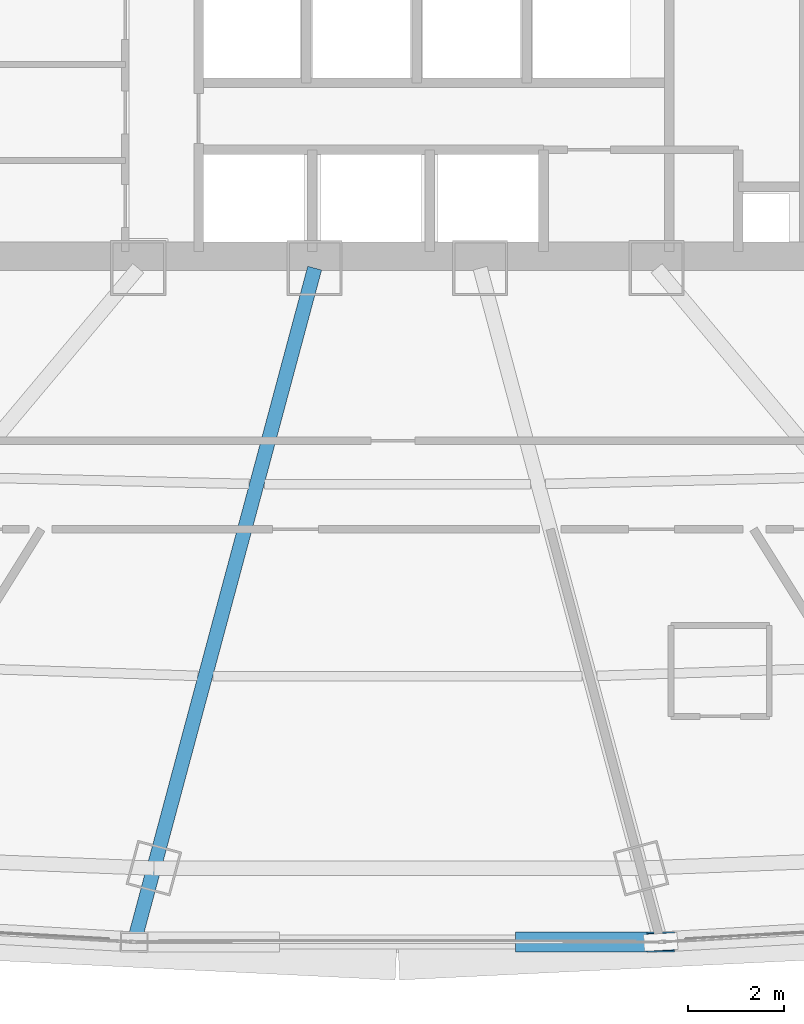
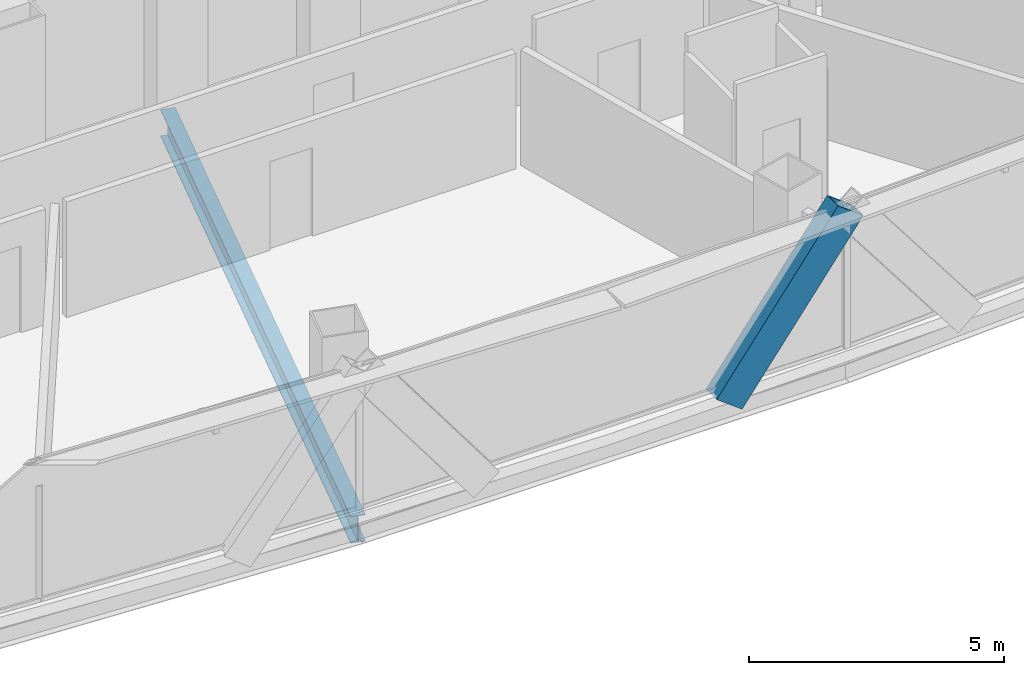
# One storey, part 11 of 39: 1 beam, 1 member.
"""IFC4 building model written with IfcOpenShell, lengths in metres."""

from ifc_helpers import new_model, si_unit, direction, frame, origin, origin_2d, place, context, subcontext, project, spatial, hollow_rectangle, i_section, extrude, source, transform, mapped, material, material_profile, profile_set, type_object, element, save


model = new_model("IFC4")

# Units and contexts
model_context = context("Model", 3, precision=1e-05, world=origin(), true_north=direction((0.0, 1.0)))
body_context = subcontext(model_context, "Body", "Model", "MODEL_VIEW")
ifc_project = project(units=[si_unit("LENGTHUNIT", "METRE"), si_unit("AREAUNIT", "SQUARE_METRE"), si_unit("VOLUMEUNIT", "CUBIC_METRE"), si_unit("PLANEANGLEUNIT", "RADIAN"), si_unit("MASSUNIT", "GRAM", prefix="KILO"), si_unit("THERMODYNAMICTEMPERATUREUNIT", "KELVIN"), si_unit("POWERUNIT", "WATT")], contexts=[model_context])

# Site, building, storey
site_placement = place(None, origin())
site = spatial("IfcSite", under=ifc_project, at=site_placement, CompositionType="ELEMENT")
building_placement = place(site_placement, origin())
building = spatial("IfcBuilding", under=site, at=building_placement, Name="Yunzhuo Pagoda Commons", CompositionType="ELEMENT")
storey_placement = place(building_placement, frame((0.0, 0.0, 140.8701171875)))
storey = spatial("IfcBuildingStorey", under=building, at=storey_placement, Name="L35", CompositionType="ELEMENT", Elevation=140.8701171875)

# Beam
ifc_material_1 = material(Name="Structural steel Q355B", Category="steel")
ifc_material_profile_1 = material_profile(ifc_material_1, i_section(OverallWidth=0.300048828125, OverallDepth=0.64990234375, WebThickness=0.012939453125, FlangeThickness=0.02197265625, at=origin_2d()), Name="Structural steel Q355B")
ifc_profile_set_1 = profile_set([ifc_material_profile_1], Name="Structural steel Q355B")
beam_type = type_object("IfcBeamType", Name="B-RG2 Beam HN 650x300x13x22", PredefinedType="BEAM", material=ifc_profile_set_1)
shared_shape_1 = source(origin(), body_context, "Body", "SweptSolid", [
    extrude(i_section(OverallWidth=0.300048828125, OverallDepth=0.64990234375, WebThickness=0.012939453125, FlangeThickness=0.02197265625, at=origin_2d()), origin(), (0.0, 0.0, 1.0), 14.41064453125),
])
beam_placement = place(storey_placement, frame((42.5419921875, 13.330322265625, -0.585205078125), z_axis=(0.258832904267, 0.965922112631, 0.0), x_axis=(-0.965922112631, 0.258832904267, 0.0)))
element("IfcBeam", 1, at=beam_placement, inside=storey, type_object=beam_type, Name="L35 radial floor girder F1C2", PredefinedType="BEAM", context=body_context, shape_type="MappedRepresentation", body=[
    mapped(shared_shape_1, transform((0.0, 0.0, 0.0), scale=1.0)),
])

# Member
ifc_material_2 = material(Name="Structural steel Q420B", Category="steel")
ifc_material_profile_2 = material_profile(ifc_material_2, hollow_rectangle(XDim=0.419921875, YDim=0.719970703125, WallThickness=0.028076171875, at=origin_2d()), Name="Structural steel Q420B")
ifc_profile_set_2 = profile_set([ifc_material_profile_2], Name="Structural steel Q420B")
member_type = type_object("IfcMemberType", Name="M-DL1 Brace BOX 720x420x28", PredefinedType="BRACE", material=ifc_profile_set_2)
shared_shape_2 = source(origin(), body_context, "Body", "SweptSolid", [
    extrude(hollow_rectangle(XDim=0.419921875, YDim=0.719970703125, WallThickness=0.028076171875, at=origin_2d()), origin(), (0.0, 0.0, 1.0), 4.59326171875),
])
member_placement = place(storey_placement, frame((50.7490234375, 13.1806640625, -0.260009765625), z_axis=(0.598476678281, 0.0, 0.801140228395), x_axis=(0.0, 1.0, 0.0)))
element("IfcMember", 2, at=member_placement, inside=storey, type_object=member_type, Name="L35 facade diamond brace F1.2R", PredefinedType="BRACE", context=body_context, shape_type="MappedRepresentation", body=[
    mapped(shared_shape_2, transform((0.0, 0.0, 0.0), scale=1.0)),
])

save(model, "model.ifc")
